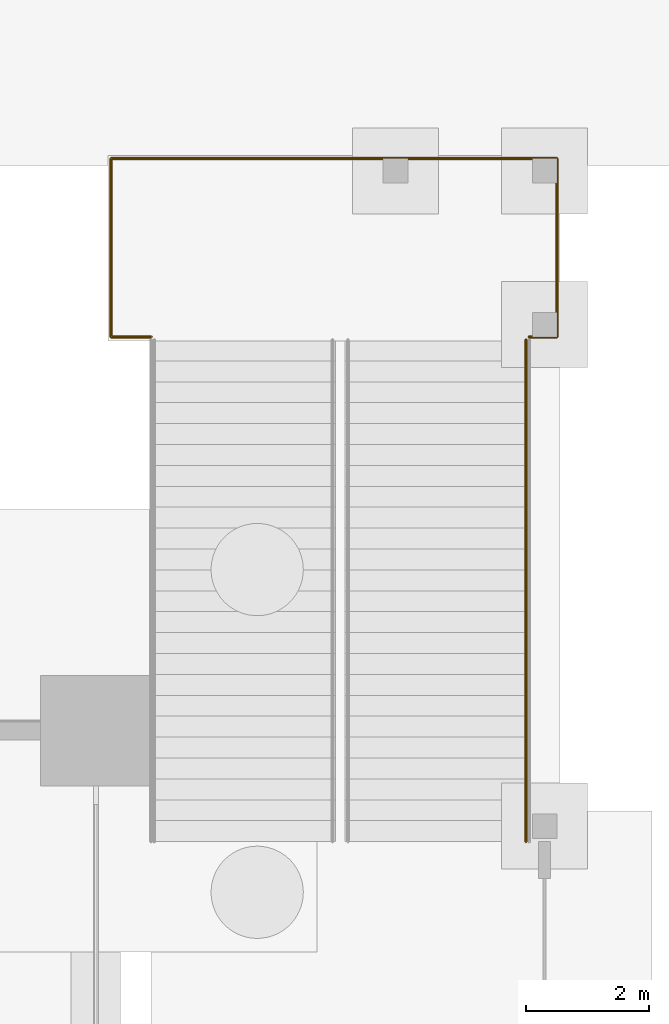
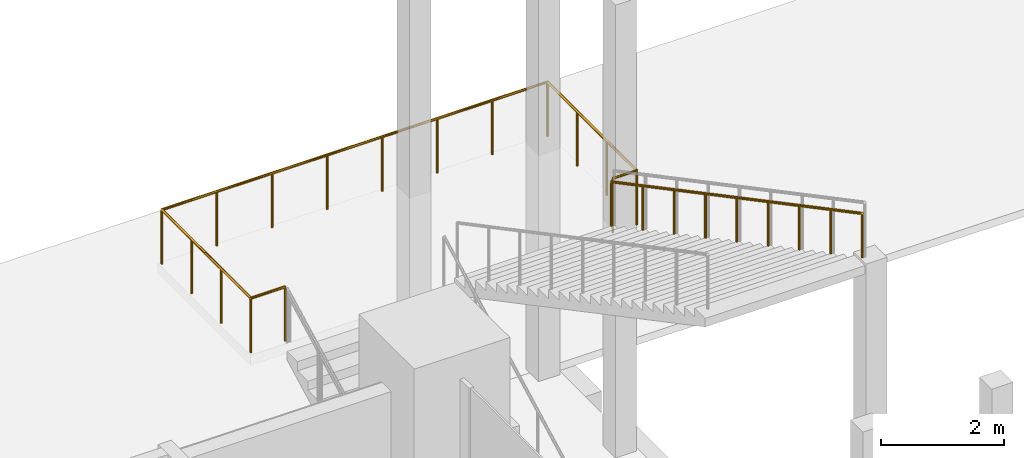
# One storey, part 71 of 72: 2 railings.
"""IFC4 building model written with IfcOpenShell, lengths in metres."""

from ifc_helpers import new_model, si_unit, direction, frame, origin, origin_2d, place, context, subcontext, project, spatial, circle, extrude, material, type_object, element, save


model = new_model("IFC4")

# Units and contexts
model_context = context("Model", 3, precision=1e-05, world=origin(), true_north=direction((0.0, 1.0)))
body_context = subcontext(model_context, "Body", "Model", "MODEL_VIEW")
ifc_project = project(units=[si_unit("LENGTHUNIT", "METRE"), si_unit("AREAUNIT", "SQUARE_METRE"), si_unit("VOLUMEUNIT", "CUBIC_METRE"), si_unit("PLANEANGLEUNIT", "RADIAN"), si_unit("MASSUNIT", "GRAM", prefix="KILO")], contexts=[model_context])

# Site, building, storey
site_placement = place(None, origin())
site = spatial("IfcSite", under=ifc_project, at=site_placement, CompositionType="ELEMENT")
building_placement = place(site_placement, origin())
building = spatial("IfcBuilding", under=site, at=building_placement, Name="Candeia Pilgrim Tower and Theatre", CompositionType="ELEMENT")
storey_placement = place(building_placement, origin())
storey = spatial("IfcBuildingStorey", under=building, at=storey_placement, Name="L00", CompositionType="ELEMENT", Elevation=0.0)

# Railings
ifc_material_1 = material(Name="Stainless steel balustrade", Category="steel")
railing_type_1 = type_object("IfcRailingType", Name="RL-GUARD-1100", PredefinedType="GUARDRAIL", material=ifc_material_1)
railing_1_placement = place(storey_placement, frame((160.5, 151.2099609375, 4.5)))
element("IfcRailing", 1, at=railing_1_placement, inside=storey, type_object=railing_type_1, Name="L00 ES2 stair guard 5", PredefinedType="GUARDRAIL", context=body_context, shape_type="SweptSolid", body=[
    extrude(circle(Radius=0.02392578125, at=origin_2d()), frame((0.0, 0.0, 1.076171875), z_axis=(-1.0, 0.0, 0.0), x_axis=(0.0, -1.0, 0.0)), (0.0, 0.0, 1.0), 0.64990234375),
    extrude(circle(Radius=0.02392578125, at=origin_2d()), frame((-0.64990234375, 0.0, 1.076171875), z_axis=(0.0, 1.0, 0.0), x_axis=(-1.0, 0.0, 0.0)), (0.0, 0.0, 1.0), 2.900146484375),
    extrude(circle(Radius=0.02392578125, at=origin_2d()), frame((-0.64990234375, 2.900146484375, 1.076171875), z_axis=(1.0, 0.0, 0.0), x_axis=(0.0, 1.0, 0.0)), (0.0, 0.0, 1.0), 7.25),
    extrude(circle(Radius=0.02392578125, at=origin_2d()), frame((6.60009765625, 2.900146484375, 1.076171875), z_axis=(0.0, -1.0, 0.0), x_axis=(1.0, 0.0, 0.0)), (0.0, 0.0, 1.0), 2.900146484375),
    extrude(circle(Radius=0.02392578125, at=origin_2d()), frame((6.60009765625, 0.0, 1.076171875), z_axis=(-1.0, 0.0, 0.0), x_axis=(0.0, -1.0, 0.0)), (0.0, 0.0, 1.0), 0.4501953125),
    extrude(circle(Radius=0.02099609375, at=origin_2d()), origin(), (0.0, 0.0, 1.0), 1.052001953125),
    extrude(circle(Radius=0.02099609375, at=origin_2d()), frame((-0.64990234375, 0.0, 0.0)), (0.0, 0.0, 1.0), 1.052001953125),
    extrude(circle(Radius=0.02099609375, at=origin_2d()), frame((-0.64990234375, 0.966796875, 0.0)), (0.0, 0.0, 1.0), 1.052001953125),
    extrude(circle(Radius=0.02099609375, at=origin_2d()), frame((-0.64990234375, 1.933349609375, 0.0)), (0.0, 0.0, 1.0), 1.052001953125),
    extrude(circle(Radius=0.02099609375, at=origin_2d()), frame((-0.64990234375, 2.900146484375, 0.0)), (0.0, 0.0, 1.0), 1.052001953125),
    extrude(circle(Radius=0.02099609375, at=origin_2d()), frame((0.3857421875, 2.900146484375, 0.0)), (0.0, 0.0, 1.0), 1.052001953125),
    extrude(circle(Radius=0.02099609375, at=origin_2d()), frame((1.421630859375, 2.900146484375, 0.0)), (0.0, 0.0, 1.0), 1.052001953125),
    extrude(circle(Radius=0.02099609375, at=origin_2d()), frame((2.457275390625, 2.900146484375, 0.0)), (0.0, 0.0, 1.0), 1.052001953125),
    extrude(circle(Radius=0.02099609375, at=origin_2d()), frame((3.492919921875, 2.900146484375, 0.0)), (0.0, 0.0, 1.0), 1.052001953125),
    extrude(circle(Radius=0.02099609375, at=origin_2d()), frame((4.528564453125, 2.900146484375, 0.0)), (0.0, 0.0, 1.0), 1.052001953125),
    extrude(circle(Radius=0.02099609375, at=origin_2d()), frame((5.564453125, 2.900146484375, 0.0)), (0.0, 0.0, 1.0), 1.052001953125),
    extrude(circle(Radius=0.02099609375, at=origin_2d()), frame((6.60009765625, 2.900146484375, 0.0)), (0.0, 0.0, 1.0), 1.052001953125),
    extrude(circle(Radius=0.02099609375, at=origin_2d()), frame((6.60009765625, 1.933349609375, 0.0)), (0.0, 0.0, 1.0), 1.052001953125),
    extrude(circle(Radius=0.02099609375, at=origin_2d()), frame((6.60009765625, 0.966796875, 0.0)), (0.0, 0.0, 1.0), 1.052001953125),
    extrude(circle(Radius=0.02099609375, at=origin_2d()), frame((6.60009765625, 0.0, 0.0)), (0.0, 0.0, 1.0), 1.052001953125),
    extrude(circle(Radius=0.02099609375, at=origin_2d()), frame((6.14990234375, 0.0, 0.0)), (0.0, 0.0, 1.0), 1.052001953125),
])
ifc_material_2 = material(Name="Stainless steel handrail", Category="steel")
railing_type_2 = type_object("IfcRailingType", Name="RL-HANDRAIL-900", PredefinedType="HANDRAIL", material=ifc_material_2)
railing_2_placement = place(storey_placement, frame((166.60009765625, 151.159912109375, 4.679931640625)))
element("IfcRailing", 2, at=railing_2_placement, inside=storey, type_object=railing_type_2, Name="L00 ES2 stair handrail 2", PredefinedType="HANDRAIL", context=body_context, shape_type="SweptSolid", body=[
    extrude(circle(Radius=0.02392578125, at=origin_2d()), frame((0.0, 0.0, 0.8759765625), z_axis=(0.0, -0.883782770755, 0.467897439742), x_axis=(1.0, 0.0, 0.0)), (0.0, 0.0, 1.0), 9.23291015625),
    extrude(circle(Radius=0.02099609375, at=origin_2d()), origin(), (0.0, 0.0, 1.0), 0.851806640625),
    extrude(circle(Radius=0.02099609375, at=origin_2d()), frame((0.0, -1.02001953125, 0.5400390625)), (0.0, 0.0, 1.0), 0.851806640625),
    extrude(circle(Radius=0.02099609375, at=origin_2d()), frame((0.0, -2.0400390625, 1.080078125)), (0.0, 0.0, 1.0), 0.851806640625),
    extrude(circle(Radius=0.02099609375, at=origin_2d()), frame((0.0, -3.06005859375, 1.6201171875)), (0.0, 0.0, 1.0), 0.851806640625),
    extrude(circle(Radius=0.02099609375, at=origin_2d()), frame((0.0, -4.080078125, 2.16015625)), (0.0, 0.0, 1.0), 0.851806640625),
    extrude(circle(Radius=0.02099609375, at=origin_2d()), frame((0.0, -5.099853515625, 2.699951171875)), (0.0, 0.0, 1.0), 0.851806640625),
    extrude(circle(Radius=0.02099609375, at=origin_2d()), frame((0.0, -6.119873046875, 3.239990234375)), (0.0, 0.0, 1.0), 0.851806640625),
    extrude(circle(Radius=0.02099609375, at=origin_2d()), frame((0.0, -7.139892578125, 3.780029296875)), (0.0, 0.0, 1.0), 0.851806640625),
    extrude(circle(Radius=0.02099609375, at=origin_2d()), frame((0.0, -8.159912109375, 4.320068359375)), (0.0, 0.0, 1.0), 0.851806640625),
])

save(model, "model.ifc")
